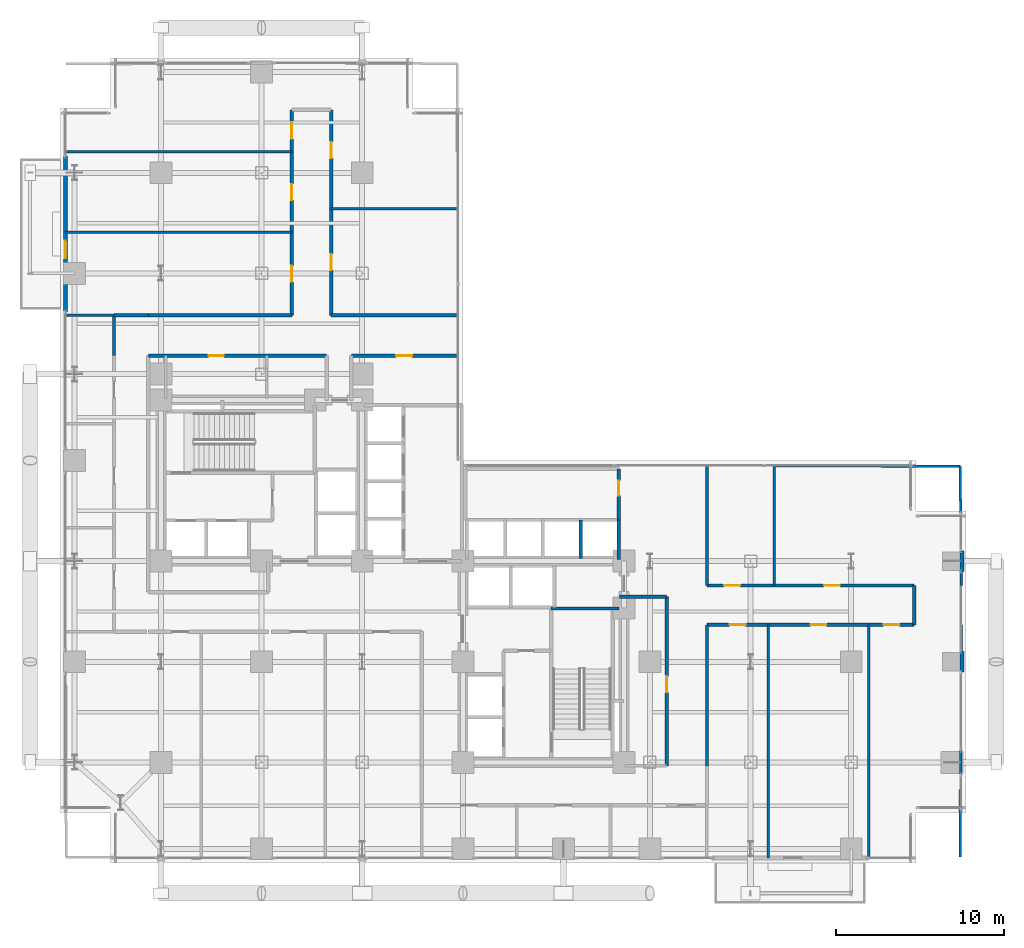
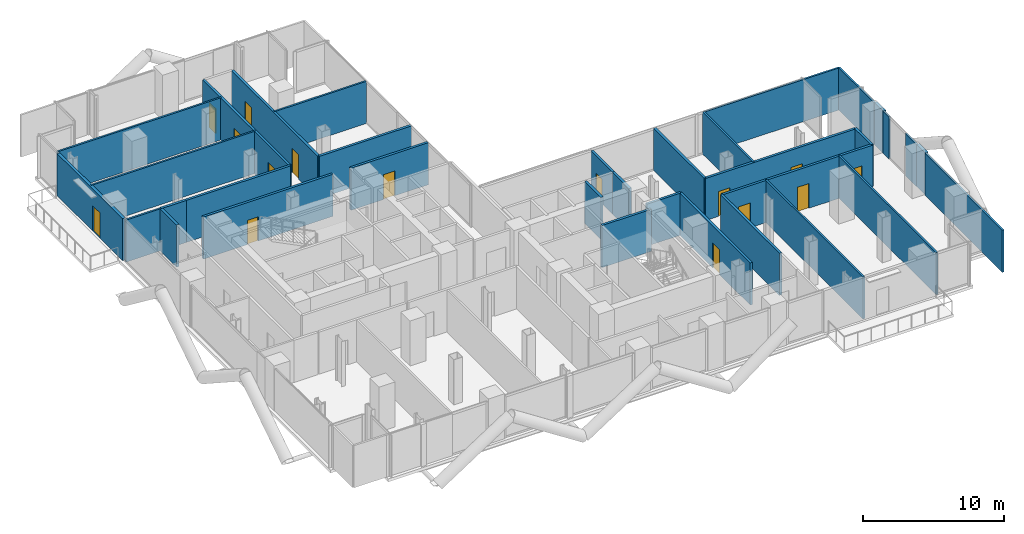
# One storey, part 23 of 27: 34 walls, 15 doors, 15 openings.
"""IFC4 building model written with IfcOpenShell, lengths in metres."""

from ifc_helpers import new_model, si_unit, direction, frame, frame_2d, origin, place, context, subcontext, project, spatial, rectangle, extrude, material, layer, layer_set, type_object, element, fill, save


model = new_model("IFC4")

# Units and contexts
model_context = context("Model", 3, precision=1e-05, world=origin(), true_north=direction((0.0, 1.0)))
body_context = subcontext(model_context, "Body", "Model", "MODEL_VIEW")
ifc_project = project(units=[si_unit("LENGTHUNIT", "METRE"), si_unit("AREAUNIT", "SQUARE_METRE"), si_unit("VOLUMEUNIT", "CUBIC_METRE"), si_unit("PLANEANGLEUNIT", "RADIAN"), si_unit("MASSUNIT", "GRAM", prefix="KILO"), si_unit("THERMODYNAMICTEMPERATUREUNIT", "KELVIN"), si_unit("POWERUNIT", "WATT")], contexts=[model_context])

# Site, building, storey
site_placement = place(None, origin())
site = spatial("IfcSite", under=ifc_project, at=site_placement, CompositionType="ELEMENT")
building_placement = place(site_placement, origin())
building = spatial("IfcBuilding", under=site, at=building_placement, Name="Svarakhadi Broadcast Tower", CompositionType="ELEMENT")
storey_placement = place(building_placement, frame((0.0, 0.0, 55.800048828125)))
storey = spatial("IfcBuildingStorey", under=building, at=storey_placement, Name="L12", CompositionType="ELEMENT", Elevation=55.800048828125)

# Wall, opening, door
ifc_material_1 = material(Name="Concrete C40/50 (IS 456 M50)", Category="concrete")
ifc_layer_1 = layer(ifc_material_1, 0.239990234375)
ifc_layer_set_1 = layer_set([ifc_layer_1], Name="Concrete C40/50 (IS 456 M50)")
wall_type_1 = type_object("IfcWallType", Name="Wall_Ext_240", PredefinedType="SOLIDWALL", material=ifc_layer_set_1)
wall_1_placement = place(storey_placement, frame((0.300048828125, 32.85498046875, 0.0), z_axis=(0.0, 0.0, 1.0), x_axis=(0.0, 1.0, 0.0)))
wall_1 = element("IfcWall", 1, at=wall_1_placement, inside=storey, type_object=wall_type_1, Name="L12 West Tree Balcony Spandrel Wall", PredefinedType="SOLIDWALL", context=body_context, shape_type="SweptSolid", body=[
    extrude(rectangle(XDim=9.2900390625, YDim=0.239990234375, at=frame_2d((4.64501953125, 0.0))), origin(), (0.0, 0.0, 1.0), 3.64990234375),
])
opening_1_placement = place(wall_1_placement, frame((3.199951171875, 0.0, 0.0)))
opening_1 = element("IfcOpeningElement", 2, at=opening_1_placement, cuts=wall_1, Name="Opening ED-05", PredefinedType="OPENING", context=body_context, shape_type="SweptSolid", body=[
    extrude(rectangle(XDim=1.050048828125, YDim=2.199951171875, at=frame_2d((0.52490234375, 1.10009765625))), frame((0.0, 0.1298828125, 0.0), z_axis=(0.0, -1.0, 0.0), x_axis=(1.0, 0.0, 0.0)), (0.0, 0.0, 1.0), 0.260009765625),
])
ifc_material_2 = material(Name="Anodised Bronze Aluminium AA 6063-T6", Category="aluminium")
door_type_1 = type_object("IfcDoorType", Name="Door_Ext_ED05", OperationType="SINGLE_SWING_LEFT", PredefinedType="DOOR", material=ifc_material_2)
door_1_placement = place(opening_1_placement, origin())
door_1 = element("IfcDoor", 3, at=door_1_placement, inside=storey, type_object=door_type_1, Name="L12 West Tree Balcony Door", OperationType="SINGLE_SWING_LEFT", OverallHeight=2.199951171875, OverallWidth=1.050048828125, PredefinedType="DOOR", context=body_context, shape_type="SweptSolid", body=[
    extrude(rectangle(XDim=1.050048828125, YDim=2.199951171875, at=frame_2d((0.52490234375, 1.10009765625))), frame((0.0, 0.02490234375, 0.0), z_axis=(0.0, -1.0, 0.0), x_axis=(1.0, 0.0, 0.0)), (0.0, 0.0, 1.0), 0.050048828125),
])
fill(opening_1, door_1)

# Walls
for number, where, z_axis, x_axis, name in (
    (4, (53.760009765625, 18.614990234375, 0.0), (0.0, 0.0, 1.0), (0.0, -1.0, 0.0), "L12 Perimeter Bronze Spandrel Closure Wall 03"),
    (5, (53.760009765625, 12.614990234375, 0.0), (0.0, 0.0, 1.0), (0.0, -1.0, 0.0), "L12 Perimeter Bronze Spandrel Closure Wall 04"),
):
    element("IfcWall", number, at=place(storey_placement, frame(where, z_axis=z_axis, x_axis=x_axis)), inside=storey, type_object=wall_type_1, Name=name, PredefinedType="SOLIDWALL", context=body_context, shape_type="SweptSolid", body=[
        extrude(rectangle(XDim=1.22998046875, YDim=0.239990234375, at=frame_2d((0.614990234375, 0.0))), origin(), (0.0, 0.0, 1.0), 3.64990234375),
    ])

# Wall, opening, door
ifc_layer_2 = layer(ifc_material_1, 0.199951171875)
ifc_layer_set_2 = layer_set([ifc_layer_2], Name="Concrete C40/50 (IS 456 M50)")
wall_type_2 = type_object("IfcWallType", Name="Wall_Fire_200", PredefinedType="SOLIDWALL", material=ifc_layer_set_2)
wall_2_placement = place(storey_placement, frame((36.14990234375, 5.800048828125, 0.0), z_axis=(0.0, 0.0, 1.0), x_axis=(0.0, 1.0, 0.0)))
wall_2 = element("IfcWall", 6, at=wall_2_placement, inside=storey, type_object=wall_type_2, Name="L12 Broadcast Corridor Wall", PredefinedType="SOLIDWALL", context=body_context, shape_type="SweptSolid", body=[
    extrude(rectangle(XDim=10.079833984375, YDim=0.199951171875, at=frame_2d((5.0400390625, 0.0))), origin(), (0.0, 0.0, 1.0), 3.64990234375),
])
opening_2_placement = place(wall_2_placement, frame((4.3798828125, 0.0, 0.0)))
opening_2 = element("IfcOpeningElement", 7, at=opening_2_placement, cuts=wall_2, Name="Opening D-06", PredefinedType="OPENING", context=body_context, shape_type="SweptSolid", body=[
    extrude(rectangle(XDim=0.949951171875, YDim=2.14990234375, at=frame_2d((0.47509765625, 1.074951171875))), frame((0.0, 0.10986328125, 0.0), z_axis=(0.0, -1.0, 0.0), x_axis=(1.0, 0.0, 0.0)), (0.0, 0.0, 1.0), 0.219970703125),
])
ifc_material_3 = material(Name="Solid-Core Teak Veneer Acoustic Timber Leaf", Category="wood")
door_type_2 = type_object("IfcDoorType", Name="Door_Office_D06", OperationType="SINGLE_SWING_LEFT", PredefinedType="DOOR", material=ifc_material_3)
door_2_placement = place(opening_2_placement, origin())
door_2 = element("IfcDoor", 8, at=door_2_placement, inside=storey, type_object=door_type_2, Name="L12 Live Feed Monitoring Studio Door", OperationType="SINGLE_SWING_LEFT", OverallHeight=2.14990234375, OverallWidth=0.949951171875, PredefinedType="DOOR", context=body_context, shape_type="SweptSolid", body=[
    extrude(rectangle(XDim=0.949951171875, YDim=2.14990234375, at=frame_2d((0.47509765625, 1.074951171875))), frame((0.0, 0.02490234375, 0.0), z_axis=(0.0, -1.0, 0.0), x_axis=(1.0, 0.0, 0.0)), (0.0, 0.0, 1.0), 0.050048828125),
])
fill(opening_2, door_2)

# Walls
wall_3_placement = place(storey_placement, frame((36.14990234375, 15.8798828125, 0.0), z_axis=(0.0, 0.0, 1.0), x_axis=(-1.0, 0.0, 0.0)))
element("IfcWall", 9, at=wall_3_placement, inside=storey, type_object=wall_type_2, Name="L12 Broadcast Corridor Wall", PredefinedType="SOLIDWALL", context=body_context, shape_type="SweptSolid", body=[
    extrude(rectangle(XDim=2.809814453125, YDim=0.199951171875, at=frame_2d((1.40478515625, 0.0))), origin(), (0.0, 0.0, 1.0), 3.64990234375),
])
wall_4_placement = place(storey_placement, frame((38.550048828125, 23.699951171875, 0.0), z_axis=(0.0, 0.0, 1.0), x_axis=(0.0, -1.0, 0.0)))
element("IfcWall", 10, at=wall_4_placement, inside=storey, type_object=wall_type_2, Name="L12 Broadcast Corridor Wall", PredefinedType="SOLIDWALL", context=body_context, shape_type="SweptSolid", body=[
    extrude(rectangle(XDim=7.14990234375, YDim=0.199951171875, at=frame_2d((3.574951171875, 0.0))), origin(), (0.0, 0.0, 1.0), 3.64990234375),
])

# Wall, openings, doors
wall_5_placement = place(storey_placement, frame((38.550048828125, 16.550048828125, 0.0), z_axis=(0.0, 0.0, 1.0), x_axis=(1.0, 0.0, 0.0)))
wall_5 = element("IfcWall", 11, at=wall_5_placement, inside=storey, type_object=wall_type_2, Name="L12 Broadcast Corridor Wall", PredefinedType="SOLIDWALL", context=body_context, shape_type="SweptSolid", body=[
    extrude(rectangle(XDim=12.349853515625, YDim=0.199951171875, at=frame_2d((6.1748046875, 0.0))), origin(), (0.0, 0.0, 1.0), 3.64990234375),
])
opening_3_placement = place(wall_5_placement, frame((1.030029296875, 0.0, 0.0)))
opening_3 = element("IfcOpeningElement", 12, at=opening_3_placement, cuts=wall_5, Name="Opening D-07", PredefinedType="OPENING", context=body_context, shape_type="SweptSolid", body=[
    extrude(rectangle(XDim=0.949951171875, YDim=2.14990234375, at=frame_2d((0.47509765625, 1.074951171875))), frame((0.0, 0.10986328125, 0.0), z_axis=(0.0, -1.0, 0.0), x_axis=(1.0, 0.0, 0.0)), (0.0, 0.0, 1.0), 0.219970703125),
])
opening_4_placement = place(wall_5_placement, frame((6.97998046875, 0.0, 0.0)))
opening_4 = element("IfcOpeningElement", 13, at=opening_4_placement, cuts=wall_5, Name="Opening D-06", PredefinedType="OPENING", context=body_context, shape_type="SweptSolid", body=[
    extrude(rectangle(XDim=0.949951171875, YDim=2.14990234375, at=frame_2d((0.47509765625, 1.074951171875))), frame((0.0, 0.10986328125, 0.0), z_axis=(0.0, -1.0, 0.0), x_axis=(1.0, 0.0, 0.0)), (0.0, 0.0, 1.0), 0.219970703125),
])
door_3_placement = place(opening_4_placement, origin())
door_3 = element("IfcDoor", 14, at=door_3_placement, inside=storey, type_object=door_type_2, Name="L12 Broadcast Equipment Operations Room Door", OperationType="SINGLE_SWING_LEFT", OverallHeight=2.14990234375, OverallWidth=0.949951171875, PredefinedType="DOOR", context=body_context, shape_type="SweptSolid", body=[
    extrude(rectangle(XDim=0.949951171875, YDim=2.14990234375, at=frame_2d((0.47509765625, 1.074951171875))), frame((0.0, 0.02490234375, 0.0), z_axis=(0.0, -1.0, 0.0), x_axis=(1.0, 0.0, 0.0)), (0.0, 0.0, 1.0), 0.050048828125),
])
fill(opening_4, door_3)
door_type_3 = type_object("IfcDoorType", Name="Door_Office_D07", OperationType="SINGLE_SWING_RIGHT", PredefinedType="DOOR", material=ifc_material_3)
door_4_placement = place(opening_3_placement, origin())
door_4 = element("IfcDoor", 15, at=door_4_placement, inside=storey, type_object=door_type_3, Name="L12 Broadcast Acoustic Booth Door", OperationType="SINGLE_SWING_RIGHT", OverallHeight=2.14990234375, OverallWidth=0.949951171875, PredefinedType="DOOR", context=body_context, shape_type="SweptSolid", body=[
    extrude(rectangle(XDim=0.949951171875, YDim=2.14990234375, at=frame_2d((0.47509765625, 1.074951171875))), frame((0.0, 0.02490234375, 0.0), z_axis=(0.0, -1.0, 0.0), x_axis=(1.0, 0.0, 0.0)), (0.0, 0.0, 1.0), 0.050048828125),
])
fill(opening_3, door_4)

# Wall
wall_6_placement = place(storey_placement, frame((50.89990234375, 16.550048828125, 0.0), z_axis=(0.0, 0.0, 1.0), x_axis=(0.0, -1.0, 0.0)))
element("IfcWall", 16, at=wall_6_placement, inside=storey, type_object=wall_type_2, Name="L12 Broadcast Corridor Wall", PredefinedType="SOLIDWALL", context=body_context, shape_type="SweptSolid", body=[
    extrude(rectangle(XDim=2.35009765625, YDim=0.199951171875, at=frame_2d((1.175048828125, 0.0))), origin(), (0.0, 0.0, 1.0), 3.64990234375),
])

# Wall, openings, doors
wall_7_placement = place(storey_placement, frame((50.89990234375, 14.199951171875, 0.0), z_axis=(0.0, 0.0, 1.0), x_axis=(-1.0, 0.0, 0.0)))
wall_7 = element("IfcWall", 17, at=wall_7_placement, inside=storey, type_object=wall_type_2, Name="L12 Broadcast Corridor Wall", PredefinedType="SOLIDWALL", context=body_context, shape_type="SweptSolid", body=[
    extrude(rectangle(XDim=12.349853515625, YDim=0.199951171875, at=frame_2d((6.1748046875, 0.0))), origin(), (0.0, 0.0, 1.0), 3.64990234375),
])
opening_5_placement = place(wall_7_placement, frame((10.050048828125, 0.0, 0.0)))
opening_5 = element("IfcOpeningElement", 18, at=opening_5_placement, cuts=wall_7, Name="Opening D-07", PredefinedType="OPENING", context=body_context, shape_type="SweptSolid", body=[
    extrude(rectangle(XDim=0.949951171875, YDim=2.14990234375, at=frame_2d((0.47509765625, 1.074951171875))), frame((0.0, 0.10986328125, 0.0), z_axis=(0.0, -1.0, 0.0), x_axis=(1.0, 0.0, 0.0)), (0.0, 0.0, 1.0), 0.219970703125),
])
opening_6_placement = place(wall_7_placement, frame((5.22509765625, 0.0, 0.0)))
opening_6 = element("IfcOpeningElement", 19, at=opening_6_placement, cuts=wall_7, Name="Opening D-06", PredefinedType="OPENING", context=body_context, shape_type="SweptSolid", body=[
    extrude(rectangle(XDim=0.949951171875, YDim=2.14990234375, at=frame_2d((0.47509765625, 1.074951171875))), frame((0.0, 0.10986328125, 0.0), z_axis=(0.0, -1.0, 0.0), x_axis=(1.0, 0.0, 0.0)), (0.0, 0.0, 1.0), 0.219970703125),
])
opening_7_placement = place(wall_7_placement, frame((0.875, 0.0, 0.0)))
opening_7 = element("IfcOpeningElement", 20, at=opening_7_placement, cuts=wall_7, Name="Opening D-07", PredefinedType="OPENING", context=body_context, shape_type="SweptSolid", body=[
    extrude(rectangle(XDim=0.949951171875, YDim=2.14990234375, at=frame_2d((0.47509765625, 1.074951171875))), frame((0.0, 0.10986328125, 0.0), z_axis=(0.0, -1.0, 0.0), x_axis=(1.0, 0.0, 0.0)), (0.0, 0.0, 1.0), 0.219970703125),
])
door_5_placement = place(opening_6_placement, origin())
door_5 = element("IfcDoor", 21, at=door_5_placement, inside=storey, type_object=door_type_2, Name="L12 Camera Workshop Room Door", OperationType="SINGLE_SWING_LEFT", OverallHeight=2.14990234375, OverallWidth=0.949951171875, PredefinedType="DOOR", context=body_context, shape_type="SweptSolid", body=[
    extrude(rectangle(XDim=0.949951171875, YDim=2.14990234375, at=frame_2d((0.47509765625, 1.074951171875))), frame((0.0, 0.02490234375, 0.0), z_axis=(0.0, -1.0, 0.0), x_axis=(1.0, 0.0, 0.0)), (0.0, 0.0, 1.0), 0.050048828125),
])
fill(opening_6, door_5)
door_6_placement = place(opening_5_placement, origin())
door_6 = element("IfcDoor", 22, at=door_6_placement, inside=storey, type_object=door_type_3, Name="L12 Academic Faculty Office Door", OperationType="SINGLE_SWING_RIGHT", OverallHeight=2.14990234375, OverallWidth=0.949951171875, PredefinedType="DOOR", context=body_context, shape_type="SweptSolid", body=[
    extrude(rectangle(XDim=0.949951171875, YDim=2.14990234375, at=frame_2d((0.47509765625, 1.074951171875))), frame((0.0, 0.02490234375, 0.0), z_axis=(0.0, -1.0, 0.0), x_axis=(1.0, 0.0, 0.0)), (0.0, 0.0, 1.0), 0.050048828125),
])
fill(opening_5, door_6)
door_7_placement = place(opening_7_placement, origin())
door_7 = element("IfcDoor", 23, at=door_7_placement, inside=storey, type_object=door_type_3, Name="L12 Training Gear Store Door", OperationType="SINGLE_SWING_RIGHT", OverallHeight=2.14990234375, OverallWidth=0.949951171875, PredefinedType="DOOR", context=body_context, shape_type="SweptSolid", body=[
    extrude(rectangle(XDim=0.949951171875, YDim=2.14990234375, at=frame_2d((0.47509765625, 1.074951171875))), frame((0.0, 0.02490234375, 0.0), z_axis=(0.0, -1.0, 0.0), x_axis=(1.0, 0.0, 0.0)), (0.0, 0.0, 1.0), 0.050048828125),
])
fill(opening_7, door_7)

# Walls
wall_8_placement = place(storey_placement, frame((38.550048828125, 14.199951171875, 0.0), z_axis=(0.0, 0.0, 1.0), x_axis=(0.0, -1.0, 0.0)))
element("IfcWall", 24, at=wall_8_placement, inside=storey, type_object=wall_type_2, Name="L12 Broadcast Corridor Wall", PredefinedType="SOLIDWALL", context=body_context, shape_type="SweptSolid", body=[
    extrude(rectangle(XDim=8.39990234375, YDim=0.199951171875, at=frame_2d((4.199951171875, 0.0))), origin(), (0.0, 0.0, 1.0), 3.64990234375),
])
wall_9_placement = place(storey_placement, frame((3.199951171875, 30.25, 0.0), z_axis=(0.0, 0.0, 1.0), x_axis=(0.0, 1.0, 0.0)))
element("IfcWall", 25, at=wall_9_placement, inside=storey, type_object=wall_type_2, Name="L12 Broadcast Corridor Wall", PredefinedType="SOLIDWALL", context=body_context, shape_type="SweptSolid", body=[
    extrude(rectangle(XDim=2.39990234375, YDim=0.199951171875, at=frame_2d((1.199951171875, 0.0))), origin(), (0.0, 0.0, 1.0), 3.64990234375),
])
wall_10_placement = place(storey_placement, frame((3.199951171875, 32.64990234375, 0.0), z_axis=(0.0, 0.0, 1.0), x_axis=(1.0, 0.0, 0.0)))
element("IfcWall", 26, at=wall_10_placement, inside=storey, type_object=wall_type_2, Name="L12 Broadcast Corridor Wall", PredefinedType="SOLIDWALL", context=body_context, shape_type="SweptSolid", body=[
    extrude(rectangle(XDim=2.050048828125, YDim=0.199951171875, at=frame_2d((1.02490234375, 0.0))), origin(), (0.0, 0.0, 1.0), 3.64990234375),
])
wall_11_placement = place(storey_placement, frame((5.25, 32.64990234375, 0.0), z_axis=(0.0, 0.0, 1.0), x_axis=(1.0, 0.0, 0.0)))
element("IfcWall", 27, at=wall_11_placement, inside=storey, type_object=wall_type_2, Name="L12 Broadcast Corridor Wall", PredefinedType="SOLIDWALL", context=body_context, shape_type="SweptSolid", body=[
    extrude(rectangle(XDim=8.550048828125, YDim=0.199951171875, at=frame_2d((4.27490234375, 0.0))), origin(), (0.0, 0.0, 1.0), 3.64990234375),
])

# Wall, openings, doors
wall_12_placement = place(storey_placement, frame((13.800048828125, 32.64990234375, 0.0), z_axis=(0.0, 0.0, 1.0), x_axis=(0.0, 1.0, 0.0)))
wall_12 = element("IfcWall", 28, at=wall_12_placement, inside=storey, type_object=wall_type_2, Name="L12 Broadcast Corridor Wall", PredefinedType="SOLIDWALL", context=body_context, shape_type="SweptSolid", body=[
    extrude(rectangle(XDim=12.25, YDim=0.199951171875, at=frame_2d((6.125, 0.0))), origin(), (0.0, 0.0, 1.0), 3.64990234375),
])
opening_8_placement = place(wall_12_placement, frame((2.0, 0.0, 0.0)))
opening_8 = element("IfcOpeningElement", 29, at=opening_8_placement, cuts=wall_12, Name="Opening D-07", PredefinedType="OPENING", context=body_context, shape_type="SweptSolid", body=[
    extrude(rectangle(XDim=0.949951171875, YDim=2.14990234375, at=frame_2d((0.47509765625, 1.074951171875))), frame((0.0, 0.10986328125, 0.0), z_axis=(0.0, -1.0, 0.0), x_axis=(1.0, 0.0, 0.0)), (0.0, 0.0, 1.0), 0.219970703125),
])
opening_9_placement = place(wall_12_placement, frame((6.875, 0.0, 0.0)))
opening_9 = element("IfcOpeningElement", 30, at=opening_9_placement, cuts=wall_12, Name="Opening D-06", PredefinedType="OPENING", context=body_context, shape_type="SweptSolid", body=[
    extrude(rectangle(XDim=0.949951171875, YDim=2.14990234375, at=frame_2d((0.47509765625, 1.074951171875))), frame((0.0, 0.10986328125, 0.0), z_axis=(0.0, -1.0, 0.0), x_axis=(1.0, 0.0, 0.0)), (0.0, 0.0, 1.0), 0.219970703125),
])
opening_10_placement = place(wall_12_placement, frame((10.52490234375, 0.0, 0.0)))
opening_10 = element("IfcOpeningElement", 31, at=opening_10_placement, cuts=wall_12, Name="Opening D-07", PredefinedType="OPENING", context=body_context, shape_type="SweptSolid", body=[
    extrude(rectangle(XDim=0.949951171875, YDim=2.14990234375, at=frame_2d((0.47509765625, 1.074951171875))), frame((0.0, 0.10986328125, 0.0), z_axis=(0.0, -1.0, 0.0), x_axis=(1.0, 0.0, 0.0)), (0.0, 0.0, 1.0), 0.219970703125),
])
door_8_placement = place(opening_9_placement, origin())
door_8 = element("IfcDoor", 32, at=door_8_placement, inside=storey, type_object=door_type_2, Name="L12 Delegate Coffee Lounge Door", OperationType="SINGLE_SWING_LEFT", OverallHeight=2.14990234375, OverallWidth=0.949951171875, PredefinedType="DOOR", context=body_context, shape_type="SweptSolid", body=[
    extrude(rectangle(XDim=0.949951171875, YDim=2.14990234375, at=frame_2d((0.47509765625, 1.074951171875))), frame((0.0, 0.02490234375, 0.0), z_axis=(0.0, -1.0, 0.0), x_axis=(1.0, 0.0, 0.0)), (0.0, 0.0, 1.0), 0.050048828125),
])
fill(opening_9, door_8)
door_9_placement = place(opening_8_placement, origin())
door_9 = element("IfcDoor", 33, at=door_9_placement, inside=storey, type_object=door_type_3, Name="L12 Roundtable Symposium Room Door", OperationType="SINGLE_SWING_RIGHT", OverallHeight=2.14990234375, OverallWidth=0.949951171875, PredefinedType="DOOR", context=body_context, shape_type="SweptSolid", body=[
    extrude(rectangle(XDim=0.949951171875, YDim=2.14990234375, at=frame_2d((0.47509765625, 1.074951171875))), frame((0.0, 0.02490234375, 0.0), z_axis=(0.0, -1.0, 0.0), x_axis=(1.0, 0.0, 0.0)), (0.0, 0.0, 1.0), 0.050048828125),
])
fill(opening_8, door_9)
door_10_placement = place(opening_10_placement, origin())
door_10 = element("IfcDoor", 34, at=door_10_placement, inside=storey, type_object=door_type_3, Name="L12 Media Reference Study Door", OperationType="SINGLE_SWING_RIGHT", OverallHeight=2.14990234375, OverallWidth=0.949951171875, PredefinedType="DOOR", context=body_context, shape_type="SweptSolid", body=[
    extrude(rectangle(XDim=0.949951171875, YDim=2.14990234375, at=frame_2d((0.47509765625, 1.074951171875))), frame((0.0, 0.02490234375, 0.0), z_axis=(0.0, -1.0, 0.0), x_axis=(1.0, 0.0, 0.0)), (0.0, 0.0, 1.0), 0.050048828125),
])
fill(opening_10, door_10)

wall_13_placement = place(storey_placement, frame((16.14990234375, 44.89990234375, 0.0), z_axis=(0.0, 0.0, 1.0), x_axis=(0.0, -1.0, 0.0)))
wall_13 = element("IfcWall", 35, at=wall_13_placement, inside=storey, type_object=wall_type_2, Name="L12 Broadcast Corridor Wall", PredefinedType="SOLIDWALL", context=body_context, shape_type="SweptSolid", body=[
    extrude(rectangle(XDim=12.25, YDim=0.199951171875, at=frame_2d((6.125, 0.0))), origin(), (0.0, 0.0, 1.0), 3.64990234375),
])
opening_11_placement = place(wall_13_placement, frame((8.60009765625, 0.0, 0.0)))
opening_11 = element("IfcOpeningElement", 36, at=opening_11_placement, cuts=wall_13, Name="Opening D-06", PredefinedType="OPENING", context=body_context, shape_type="SweptSolid", body=[
    extrude(rectangle(XDim=0.949951171875, YDim=2.14990234375, at=frame_2d((0.47509765625, 1.074951171875))), frame((0.0, 0.10986328125, 0.0), z_axis=(0.0, -1.0, 0.0), x_axis=(1.0, 0.0, 0.0)), (0.0, 0.0, 1.0), 0.219970703125),
])
opening_12_placement = place(wall_13_placement, frame((1.929931640625, 0.0, 0.0)))
opening_12 = element("IfcOpeningElement", 37, at=opening_12_placement, cuts=wall_13, Name="Opening D-07", PredefinedType="OPENING", context=body_context, shape_type="SweptSolid", body=[
    extrude(rectangle(XDim=0.949951171875, YDim=2.14990234375, at=frame_2d((0.47509765625, 1.074951171875))), frame((0.0, 0.10986328125, 0.0), z_axis=(0.0, -1.0, 0.0), x_axis=(1.0, 0.0, 0.0)), (0.0, 0.0, 1.0), 0.219970703125),
])
door_11_placement = place(opening_11_placement, origin())
door_11 = element("IfcDoor", 38, at=door_11_placement, inside=storey, type_object=door_type_2, Name="L12 Academy Registrar Office Door", OperationType="SINGLE_SWING_LEFT", OverallHeight=2.14990234375, OverallWidth=0.949951171875, PredefinedType="DOOR", context=body_context, shape_type="SweptSolid", body=[
    extrude(rectangle(XDim=0.949951171875, YDim=2.14990234375, at=frame_2d((0.47509765625, 1.074951171875))), frame((0.0, 0.02490234375, 0.0), z_axis=(0.0, -1.0, 0.0), x_axis=(1.0, 0.0, 0.0)), (0.0, 0.0, 1.0), 0.050048828125),
])
fill(opening_11, door_11)
door_12_placement = place(opening_12_placement, origin())
door_12 = element("IfcDoor", 39, at=door_12_placement, inside=storey, type_object=door_type_3, Name="L12 Print and Bindery Store Door", OperationType="SINGLE_SWING_RIGHT", OverallHeight=2.14990234375, OverallWidth=0.949951171875, PredefinedType="DOOR", context=body_context, shape_type="SweptSolid", body=[
    extrude(rectangle(XDim=0.949951171875, YDim=2.14990234375, at=frame_2d((0.47509765625, 1.074951171875))), frame((0.0, 0.02490234375, 0.0), z_axis=(0.0, -1.0, 0.0), x_axis=(1.0, 0.0, 0.0)), (0.0, 0.0, 1.0), 0.050048828125),
])
fill(opening_12, door_12)

# Wall
wall_14_placement = place(storey_placement, frame((16.14990234375, 32.64990234375, 0.0), z_axis=(0.0, 0.0, 1.0), x_axis=(1.0, 0.0, 0.0)))
element("IfcWall", 40, at=wall_14_placement, inside=storey, type_object=wall_type_2, Name="L12 Broadcast Corridor Wall", PredefinedType="SOLIDWALL", context=body_context, shape_type="SweptSolid", body=[
    extrude(rectangle(XDim=7.550048828125, YDim=0.199951171875, at=frame_2d((3.77490234375, 0.0))), origin(), (0.0, 0.0, 1.0), 3.64990234375),
])

# Wall, opening, door
wall_15_placement = place(storey_placement, frame((23.699951171875, 30.25, 0.0), z_axis=(0.0, 0.0, 1.0), x_axis=(-1.0, 0.0, 0.0)))
wall_15 = element("IfcWall", 41, at=wall_15_placement, inside=storey, type_object=wall_type_2, Name="L12 Broadcast Corridor Wall", PredefinedType="SOLIDWALL", context=body_context, shape_type="SweptSolid", body=[
    extrude(rectangle(XDim=6.349853515625, YDim=0.199951171875, at=frame_2d((3.1748046875, 0.0))), origin(), (0.0, 0.0, 1.0), 3.64990234375),
])
opening_13_placement = place(wall_15_placement, frame((2.72509765625, 0.0, 0.0)))
opening_13 = element("IfcOpeningElement", 42, at=opening_13_placement, cuts=wall_15, Name="Opening D-06", PredefinedType="OPENING", context=body_context, shape_type="SweptSolid", body=[
    extrude(rectangle(XDim=0.949951171875, YDim=2.14990234375, at=frame_2d((0.47509765625, 1.074951171875))), frame((0.0, 0.10986328125, 0.0), z_axis=(0.0, -1.0, 0.0), x_axis=(1.0, 0.0, 0.0)), (0.0, 0.0, 1.0), 0.219970703125),
])
door_13_placement = place(opening_13_placement, origin())
door_13 = element("IfcDoor", 43, at=door_13_placement, inside=storey, type_object=door_type_2, Name="L12 Production Continuity Office Door", OperationType="SINGLE_SWING_LEFT", OverallHeight=2.14990234375, OverallWidth=0.949951171875, PredefinedType="DOOR", context=body_context, shape_type="SweptSolid", body=[
    extrude(rectangle(XDim=0.949951171875, YDim=2.14990234375, at=frame_2d((0.47509765625, 1.074951171875))), frame((0.0, 0.02490234375, 0.0), z_axis=(0.0, -1.0, 0.0), x_axis=(1.0, 0.0, 0.0)), (0.0, 0.0, 1.0), 0.050048828125),
])
fill(opening_13, door_13)

wall_16_placement = place(storey_placement, frame((15.8798828125, 30.25, 0.0), z_axis=(0.0, 0.0, 1.0), x_axis=(-1.0, 0.0, 0.0)))
wall_16 = element("IfcWall", 44, at=wall_16_placement, inside=storey, type_object=wall_type_2, Name="L12 Broadcast Corridor Wall", PredefinedType="SOLIDWALL", context=body_context, shape_type="SweptSolid", body=[
    extrude(rectangle(XDim=10.6298828125, YDim=0.199951171875, at=frame_2d((5.31494140625, 0.0))), origin(), (0.0, 0.0, 1.0), 3.64990234375),
])
opening_14_placement = place(wall_16_placement, frame((6.1298828125, 0.0, 0.0)))
opening_14 = element("IfcOpeningElement", 45, at=opening_14_placement, cuts=wall_16, Name="Opening D-13", PredefinedType="OPENING", context=body_context, shape_type="SweptSolid", body=[
    extrude(rectangle(XDim=0.89990234375, YDim=2.10009765625, at=frame_2d((0.449951171875, 1.050048828125))), frame((0.0, 0.10986328125, 0.0), z_axis=(0.0, -1.0, 0.0), x_axis=(1.0, 0.0, 0.0)), (0.0, 0.0, 1.0), 0.219970703125),
])
door_type_4 = type_object("IfcDoorType", Name="Door_Closet_D13", OperationType="SINGLE_SWING_RIGHT", PredefinedType="DOOR", material=ifc_material_3)
door_14_placement = place(opening_14_placement, origin())
door_14 = element("IfcDoor", 46, at=door_14_placement, inside=storey, type_object=door_type_4, Name="L12 Accessible Toilet WC Door", OperationType="SINGLE_SWING_RIGHT", OverallHeight=2.10009765625, OverallWidth=0.89990234375, PredefinedType="DOOR", context=body_context, shape_type="SweptSolid", body=[
    extrude(rectangle(XDim=0.89990234375, YDim=2.10009765625, at=frame_2d((0.449951171875, 1.050048828125))), frame((0.0, 0.02490234375, 0.0), z_axis=(0.0, -1.0, 0.0), x_axis=(1.0, 0.0, 0.0)), (0.0, 0.0, 1.0), 0.050048828125),
])
fill(opening_14, door_14)

# Walls
ifc_material_4 = material(Name="Autoclaved Aerated Concrete Blockwork 150 mm", Category="masonry")
ifc_layer_3 = layer(ifc_material_4, 0.14990234375)
ifc_layer_set_3 = layer_set([ifc_layer_3], Name="Autoclaved Aerated Concrete Blockwork 150 mm")
wall_type_3 = type_object("IfcWallType", Name="Wall_Part_150", PredefinedType="PARTITIONING", material=ifc_layer_set_3)
for number, where, z_axis, x_axis, name in (
    (47, (42.199951171875, 0.300048828125, 0.0), (0.0, 0.0, 1.0), (0.0, 1.0, 0.0), "L12 Academic Faculty Office Wall"),
    (48, (48.199951171875, 0.300048828125, 0.0), (0.0, 0.0, 1.0), (0.0, 1.0, 0.0), "L12 Camera Workshop Room Wall"),
):
    element("IfcWall", number, at=place(storey_placement, frame(where, z_axis=z_axis, x_axis=x_axis)), inside=storey, type_object=wall_type_3, Name=name, PredefinedType="PARTITIONING", context=body_context, shape_type="SweptSolid", body=[
        extrude(rectangle(XDim=13.89990234375, YDim=0.14990234375, at=frame_2d((6.949951171875, 0.0))), origin(), (0.0, 0.0, 1.0), 3.64990234375),
    ])
wall_17_placement = place(storey_placement, frame((53.64990234375, 0.35009765625, 0.0), z_axis=(0.0, 0.0, 1.0), x_axis=(0.003606251025, 0.999993497456, 0.0)))
element("IfcWall", 49, at=wall_17_placement, inside=storey, type_object=wall_type_3, Name="L12 Training Gear Store Wall", PredefinedType="PARTITIONING", context=body_context, shape_type="SweptSolid", body=[
    extrude(rectangle(XDim=11.034912109375, YDim=0.14990234375, at=frame_2d((5.517578125, 0.0))), origin(), (0.0, 0.0, 1.0), 3.64990234375),
])
wall_18_placement = place(storey_placement, frame((53.6943359375, 12.614990234375, 0.0), z_axis=(0.0, 0.0, 1.0), x_axis=(0.003542799701, 0.999993724265, 0.0)))
element("IfcWall", 50, at=wall_18_placement, inside=storey, type_object=wall_type_3, Name="L12 Training Gear Store Wall", PredefinedType="PARTITIONING", context=body_context, shape_type="SweptSolid", body=[
    extrude(rectangle(XDim=1.5849609375, YDim=0.14990234375, at=frame_2d((0.79248046875, 0.0))), origin(), (0.0, 0.0, 1.0), 3.64990234375),
])
wall_19_placement = place(storey_placement, frame((42.550048828125, 16.550048828125, 0.0), z_axis=(0.0, 0.0, 1.0), x_axis=(0.0, 1.0, 0.0)))
element("IfcWall", 51, at=wall_19_placement, inside=storey, type_object=wall_type_3, Name="L12 Broadcast Acoustic Booth Wall", PredefinedType="PARTITIONING", context=body_context, shape_type="SweptSolid", body=[
    extrude(rectangle(XDim=7.14990234375, YDim=0.14990234375, at=frame_2d((3.574951171875, 0.0))), origin(), (0.0, 0.0, 1.0), 3.64990234375),
])
wall_20_placement = place(storey_placement, frame((42.550048828125, 23.699951171875, 0.0), z_axis=(0.0, 0.0, 1.0), x_axis=(0.999989834782, -0.004508917104, 0.0)))
element("IfcWall", 52, at=wall_20_placement, inside=storey, type_object=wall_type_3, Name="L12 Broadcast Equipment Operations Room Wall", PredefinedType="PARTITIONING", context=body_context, shape_type="SweptSolid", body=[
    extrude(rectangle(XDim=11.099853515625, YDim=0.14990234375, at=frame_2d((5.5498046875, 0.0))), origin(), (0.0, 0.0, 1.0), 3.64990234375),
])
wall_21_placement = place(storey_placement, frame((53.699951171875, 16.550048828125, 0.0), z_axis=(0.0, 0.0, 1.0), x_axis=(-0.007017371073, 0.999975377948, 0.0)))
element("IfcWall", 53, at=wall_21_placement, inside=storey, type_object=wall_type_3, Name="L12 Broadcast Equipment Operations Room Wall", PredefinedType="PARTITIONING", context=body_context, shape_type="SweptSolid", body=[
    extrude(rectangle(XDim=0.8349609375, YDim=0.14990234375, at=frame_2d((0.41748046875, 0.0))), origin(), (0.0, 0.0, 1.0), 3.64990234375),
])
wall_22_placement = place(storey_placement, frame((53.685546875, 18.614990234375, 0.0), z_axis=(0.0, 0.0, 1.0), x_axis=(-0.007079296972, 0.999974941463, 0.0)))
element("IfcWall", 54, at=wall_22_placement, inside=storey, type_object=wall_type_3, Name="L12 Broadcast Equipment Operations Room Wall", PredefinedType="PARTITIONING", context=body_context, shape_type="SweptSolid", body=[
    extrude(rectangle(XDim=5.03515625, YDim=0.14990234375, at=frame_2d((2.517578125, 0.0))), origin(), (0.0, 0.0, 1.0), 3.64990234375),
])
for number, where, z_axis, x_axis, name in (
    (55, (0.300048828125, 37.60009765625, 0.0), (0.0, 0.0, 1.0), (1.0, 0.0, 0.0), "L12 Roundtable Symposium Room Wall"),
    (56, (0.300048828125, 42.39990234375, 0.0), (0.0, 0.0, 1.0), (1.0, 0.0, 0.0), "L12 Delegate Coffee Lounge Wall"),
):
    element("IfcWall", number, at=place(storey_placement, frame(where, z_axis=z_axis, x_axis=x_axis)), inside=storey, type_object=wall_type_3, Name=name, PredefinedType="PARTITIONING", context=body_context, shape_type="SweptSolid", body=[
        extrude(rectangle(XDim=13.5, YDim=0.14990234375, at=frame_2d((6.75, 0.0))), origin(), (0.0, 0.0, 1.0), 3.64990234375),
    ])
wall_23_placement = place(storey_placement, frame((16.14990234375, 39.0, 0.0), z_axis=(0.0, 0.0, 1.0), x_axis=(1.0, 0.0, 0.0)))
element("IfcWall", 57, at=wall_23_placement, inside=storey, type_object=wall_type_3, Name="L12 Academy Registrar Office Wall", PredefinedType="PARTITIONING", context=body_context, shape_type="SweptSolid", body=[
    extrude(rectangle(XDim=7.550048828125, YDim=0.14990234375, at=frame_2d((3.77490234375, 0.0))), origin(), (0.0, 0.0, 1.0), 3.64990234375),
])
wall_24_placement = place(storey_placement, frame((0.300048828125, 32.64990234375, 0.0), z_axis=(0.0, 0.0, 1.0), x_axis=(1.0, 0.0, 0.0)))
element("IfcWall", 58, at=wall_24_placement, inside=storey, type_object=wall_type_3, Name="L12 Producer Quiet Lounge Wall", PredefinedType="PARTITIONING", context=body_context, shape_type="SweptSolid", body=[
    extrude(rectangle(XDim=2.89990234375, YDim=0.14990234375, at=frame_2d((1.449951171875, 0.0))), origin(), (0.0, 0.0, 1.0), 3.64990234375),
])
ifc_material_5 = material(Name="Concrete C50/60 (IS 456 M60)", Category="concrete")
ifc_layer_4 = layer(ifc_material_5, 0.199951171875)
ifc_layer_set_4 = layer_set([ifc_layer_4], Name="Concrete C50/60 (IS 456 M60)")
wall_type_4 = type_object("IfcWallType", Name="Wall_Shear_200", PredefinedType="SHEAR", material=ifc_layer_set_4)
wall_25_placement = place(storey_placement, frame((29.260009765625, 15.179931640625, 0.0), z_axis=(0.0, 0.0, 1.0), x_axis=(1.0, 0.0, 0.0)))
element("IfcWall", 59, at=wall_25_placement, inside=storey, type_object=wall_type_4, Name="L12 Stair ST-02 North RC Shaft Wall", PredefinedType="SHEAR", context=body_context, shape_type="SweptSolid", body=[
    extrude(rectangle(XDim=4.0400390625, YDim=0.199951171875, at=frame_2d((2.02001953125, 0.0))), origin(), (0.0, 0.0, 1.0), 3.64990234375),
])
wall_26_placement = place(storey_placement, frame((33.300048828125, 18.10009765625, 0.0), z_axis=(0.0, 0.0, 1.0), x_axis=(0.0, 1.0, 0.0)))
element("IfcWall", 60, at=wall_26_placement, inside=storey, type_object=wall_type_4, Name="L12 Bank B East Shaft Wall", PredefinedType="SHEAR", context=body_context, shape_type="SweptSolid", body=[
    extrude(rectangle(XDim=2.349853515625, YDim=0.199951171875, at=frame_2d((1.1748046875, 0.0))), origin(), (0.0, 0.0, 1.0), 3.64990234375),
])
wall_27_placement = place(storey_placement, frame((31.02001953125, 18.14990234375, 0.0), z_axis=(0.0, 0.0, 1.0), x_axis=(0.0, 1.0, 0.0)))
element("IfcWall", 61, at=wall_27_placement, inside=storey, type_object=wall_type_4, Name="L12 Bank B Divider", PredefinedType="SHEAR", context=body_context, shape_type="SweptSolid", body=[
    extrude(rectangle(XDim=2.300048828125, YDim=0.199951171875, at=frame_2d((1.14990234375, 0.0))), origin(), (0.0, 0.0, 1.0), 3.64990234375),
])

# Wall, opening, door
wall_28_placement = place(storey_placement, frame((33.300048828125, 20.449951171875, 0.0), z_axis=(0.0, 0.0, 1.0), x_axis=(0.0, 1.0, 0.0)))
wall_28 = element("IfcWall", 62, at=wall_28_placement, inside=storey, type_object=wall_type_4, Name="L12 Bank B Lift Hall East Wall", PredefinedType="SHEAR", context=body_context, shape_type="SweptSolid", body=[
    extrude(rectangle(XDim=3.050048828125, YDim=0.199951171875, at=frame_2d((1.52490234375, 0.0))), origin(), (0.0, 0.0, 1.0), 3.64990234375),
])
opening_15_placement = place(wall_28_placement, frame((1.449951171875, 0.0, 0.0)))
opening_15 = element("IfcOpeningElement", 63, at=opening_15_placement, cuts=wall_28, Name="Opening D-04", PredefinedType="OPENING", context=body_context, shape_type="SweptSolid", body=[
    extrude(rectangle(XDim=0.89990234375, YDim=2.14990234375, at=frame_2d((0.449951171875, 1.074951171875))), frame((0.0, 0.10986328125, 0.0), z_axis=(0.0, -1.0, 0.0), x_axis=(1.0, 0.0, 0.0)), (0.0, 0.0, 1.0), 0.219970703125),
])
ifc_material_6 = material(Name="Galvanised Powder-Coated Fire-Rated Steel Leaf", Category="steel")
door_type_5 = type_object("IfcDoorType", Name="Door_Fire_D04", OperationType="SINGLE_SWING_RIGHT", PredefinedType="DOOR", material=ifc_material_6)
door_15_placement = place(opening_15_placement, origin())
door_15 = element("IfcDoor", 64, at=door_15_placement, inside=storey, type_object=door_type_5, Name="L12 Mid-Rise Lift Hall East Corridor Door", OperationType="SINGLE_SWING_RIGHT", OverallHeight=2.14990234375, OverallWidth=0.89990234375, PredefinedType="DOOR", context=body_context, shape_type="SweptSolid", body=[
    extrude(rectangle(XDim=0.89990234375, YDim=2.14990234375, at=frame_2d((0.449951171875, 1.074951171875))), frame((0.0, 0.02490234375, 0.0), z_axis=(0.0, -1.0, 0.0), x_axis=(1.0, 0.0, 0.0)), (0.0, 0.0, 1.0), 0.050048828125),
])
fill(opening_15, door_15)

save(model, "model.ifc")
